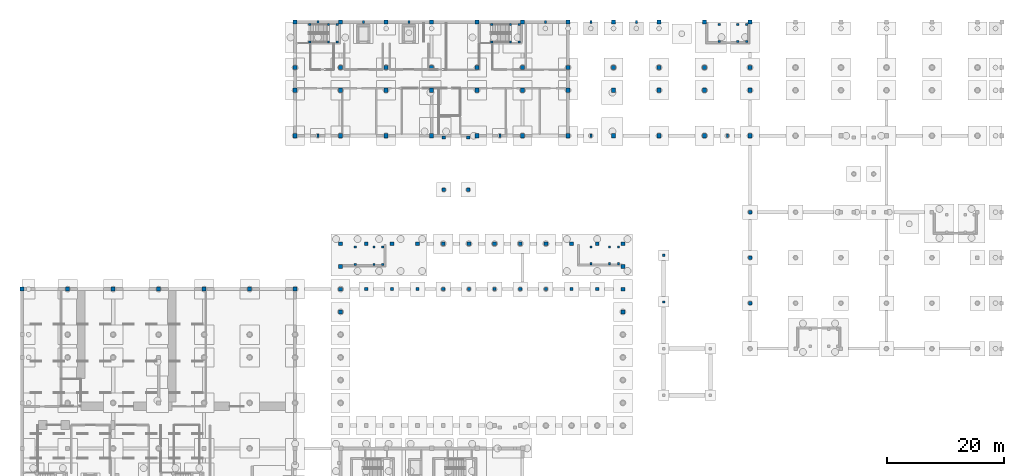
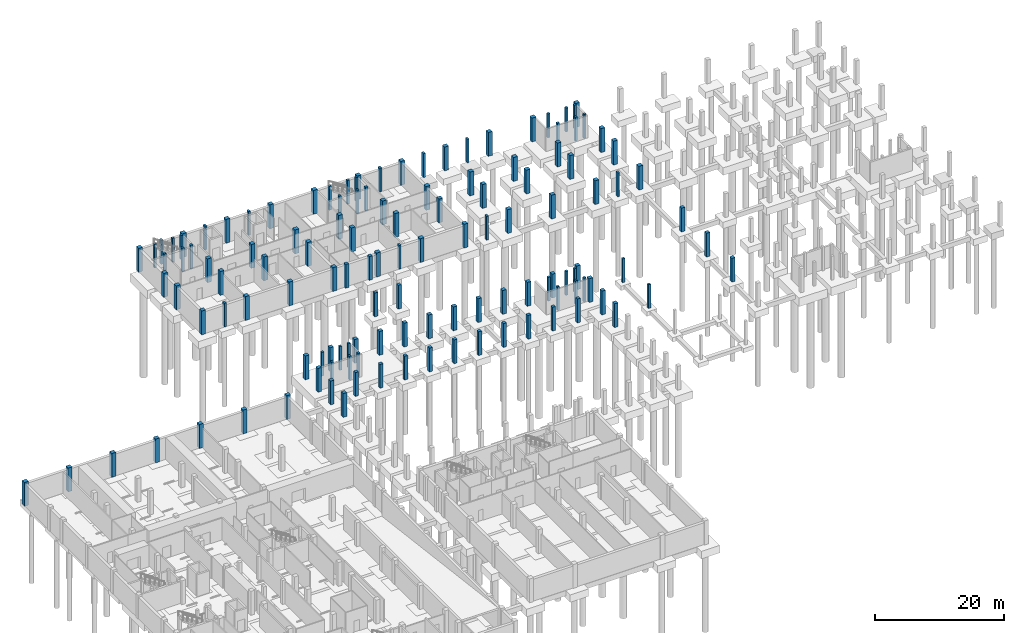
# One storey, part 7 of 24: 128 columns.
"""IFC4 building model written with IfcOpenShell, lengths in metres."""

from ifc_helpers import new_model, si_unit, direction, frame, origin, origin_2d, place, context, subcontext, project, spatial, rectangle, extrude, material, material_profile, profile_set, type_object, element, save


model = new_model("IFC4")

# Units and contexts
model_context = context("Model", 3, precision=1e-05, world=origin(), true_north=direction((0.0, 1.0)))
body_context = subcontext(model_context, "Body", "Model", "MODEL_VIEW")
ifc_project = project(units=[si_unit("LENGTHUNIT", "METRE"), si_unit("AREAUNIT", "SQUARE_METRE"), si_unit("VOLUMEUNIT", "CUBIC_METRE"), si_unit("PLANEANGLEUNIT", "RADIAN"), si_unit("MASSUNIT", "GRAM", prefix="KILO")], contexts=[model_context])

# Site, building, storey
site_placement = place(None, origin())
site = spatial("IfcSite", under=ifc_project, at=site_placement, CompositionType="ELEMENT")
building_placement = place(site_placement, origin())
building = spatial("IfcBuilding", under=site, at=building_placement, Name="Celorna Specialist Clinic", CompositionType="ELEMENT")
storey_placement = place(building_placement, frame((0.0, 0.0, -4.5)))
storey = spatial("IfcBuildingStorey", under=building, at=storey_placement, Name="B01", CompositionType="ELEMENT", Elevation=-4.5)

# Columns
ifc_material_1 = material(Name="Concrete C40/50", Category="concrete")
ifc_material_profile_1 = material_profile(ifc_material_1, rectangle(XDim=0.699951171875, YDim=0.699951171875, at=origin_2d()), Name="RC 700x700")
ifc_profile_set_1 = profile_set([ifc_material_profile_1], Name="Concrete C40/50")
column_type_1 = type_object("IfcColumnType", Name="CT-02", PredefinedType="COLUMN", material=ifc_profile_set_1)
for number, where, z_axis, x_axis, name in (
    (1, (0.0, 70.199951171875, 0.0), (0.0, 0.0, 1.0), (1.0, 0.0, 0.0), "Column CT-02 B01 X01/YN"),
    (2, (7.800048828125, 70.199951171875, 0.0), (0.0, 0.0, 1.0), (1.0, 0.0, 0.0), "Column CT-02 B01 X02/YN"),
    (3, (15.60009765625, 70.199951171875, 0.0), (0.0, 0.0, 1.0), (1.0, 0.0, 0.0), "Column CT-02 B01 X03/YN"),
    (4, (23.39990234375, 70.199951171875, 0.0), (0.0, 0.0, 1.0), (1.0, 0.0, 0.0), "Column CT-02 B01 X04/YN"),
    (5, (31.199951171875, 70.199951171875, 0.0), (0.0, 0.0, 1.0), (1.0, 0.0, 0.0), "Column CT-02 B01 X05/YN"),
    (6, (39.0, 70.199951171875, 0.0), (0.0, 0.0, 1.0), (1.0, 0.0, 0.0), "Column CT-02 B01 X06/YN"),
    (7, (46.800048828125, 70.199951171875, 0.0), (0.0, 0.0, 1.0), (1.0, 0.0, 0.0), "Column CT-02 B01 X07/YN"),
    (8, (46.800048828125, 96.5, 0.0), (0.0, 0.0, 1.0), (1.0, 0.0, 0.0), "Column CT-02 B01 X07/YR"),
    (9, (46.800048828125, 104.300048828125, 0.0), (0.0, 0.0, 1.0), (1.0, 0.0, 0.0), "Column CT-02 B01 X07/YS"),
    (10, (46.800048828125, 108.199951171875, 0.0), (0.0, 0.0, 1.0), (1.0, 0.0, 0.0), "Column CT-02 B01 X07/YT"),
    (11, (46.800048828125, 116.0, 0.0), (0.0, 0.0, 1.0), (1.0, 0.0, 0.0), "Column CT-02 B01 X07/YU"),
    (12, (54.60009765625, 96.5, 0.0), (0.0, 0.0, 1.0), (1.0, 0.0, 0.0), "Column CT-02 B01 X08/YR"),
    (13, (54.60009765625, 104.300048828125, 0.0), (0.0, 0.0, 1.0), (1.0, 0.0, 0.0), "Column CT-02 B01 X08/YS"),
    (14, (54.60009765625, 108.199951171875, 0.0), (0.0, 0.0, 1.0), (1.0, 0.0, 0.0), "Column CT-02 B01 X08/YT"),
    (15, (54.60009765625, 116.0, 0.0), (0.0, 0.0, 1.0), (1.0, 0.0, 0.0), "Column CT-02 B01 X08/YU"),
    (16, (62.39990234375, 96.5, 0.0), (0.0, 0.0, 1.0), (1.0, 0.0, 0.0), "Column CT-02 B01 X09/YR"),
    (17, (62.39990234375, 104.300048828125, 0.0), (0.0, 0.0, 1.0), (1.0, 0.0, 0.0), "Column CT-02 B01 X09/YS"),
    (18, (62.39990234375, 108.199951171875, 0.0), (0.0, 0.0, 1.0), (1.0, 0.0, 0.0), "Column CT-02 B01 X09/YT"),
    (19, (62.39990234375, 116.0, 0.0), (0.0, 0.0, 1.0), (1.0, 0.0, 0.0), "Column CT-02 B01 X09/YU"),
    (20, (70.199951171875, 96.5, 0.0), (0.0, 0.0, 1.0), (1.0, 0.0, 0.0), "Column CT-02 B01 X10/YR"),
    (21, (70.199951171875, 104.300048828125, 0.0), (0.0, 0.0, 1.0), (1.0, 0.0, 0.0), "Column CT-02 B01 X10/YS"),
    (22, (70.199951171875, 108.199951171875, 0.0), (0.0, 0.0, 1.0), (1.0, 0.0, 0.0), "Column CT-02 B01 X10/YT"),
    (23, (70.199951171875, 116.0, 0.0), (0.0, 0.0, 1.0), (1.0, 0.0, 0.0), "Column CT-02 B01 X10/YU"),
    (24, (78.0, 96.5, 0.0), (0.0, 0.0, 1.0), (1.0, 0.0, 0.0), "Column CT-02 B01 X11/YR"),
    (25, (78.0, 104.300048828125, 0.0), (0.0, 0.0, 1.0), (1.0, 0.0, 0.0), "Column CT-02 B01 X11/YS"),
    (26, (78.0, 108.199951171875, 0.0), (0.0, 0.0, 1.0), (1.0, 0.0, 0.0), "Column CT-02 B01 X11/YT"),
    (27, (78.0, 116.0, 0.0), (0.0, 0.0, 1.0), (1.0, 0.0, 0.0), "Column CT-02 B01 X11/YU"),
    (28, (85.800048828125, 96.5, 0.0), (0.0, 0.0, 1.0), (1.0, 0.0, 0.0), "Column CT-02 B01 X12/YR"),
    (29, (85.800048828125, 104.300048828125, 0.0), (0.0, 0.0, 1.0), (1.0, 0.0, 0.0), "Column CT-02 B01 X12/YS"),
    (30, (85.800048828125, 108.199951171875, 0.0), (0.0, 0.0, 1.0), (1.0, 0.0, 0.0), "Column CT-02 B01 X12/YT"),
    (31, (85.800048828125, 116.0, 0.0), (0.0, 0.0, 1.0), (1.0, 0.0, 0.0), "Column CT-02 B01 X12/YU"),
    (32, (93.60009765625, 96.5, 0.0), (0.0, 0.0, 1.0), (1.0, 0.0, 0.0), "Column CT-02 B01 X13/YR"),
    (33, (93.60009765625, 104.300048828125, 0.0), (0.0, 0.0, 1.0), (1.0, 0.0, 0.0), "Column CT-02 B01 X13/YS"),
    (34, (93.60009765625, 108.199951171875, 0.0), (0.0, 0.0, 1.0), (1.0, 0.0, 0.0), "Column CT-02 B01 X13/YT"),
    (35, (93.60009765625, 116.0, 0.0), (0.0, 0.0, 1.0), (1.0, 0.0, 0.0), "Column CT-02 B01 X13/YU"),
    (36, (101.39990234375, 96.5, 0.0), (0.0, 0.0, 1.0), (1.0, 0.0, 0.0), "Column CT-02 B01 X14/YR"),
    (37, (101.39990234375, 104.300048828125, 0.0), (0.0, 0.0, 1.0), (1.0, 0.0, 0.0), "Column CT-02 B01 X14/YS"),
    (38, (101.39990234375, 108.199951171875, 0.0), (0.0, 0.0, 1.0), (1.0, 0.0, 0.0), "Column CT-02 B01 X14/YT"),
    (39, (101.39990234375, 116.0, 0.0), (0.0, 0.0, 1.0), (1.0, 0.0, 0.0), "Column CT-02 B01 X14/YU"),
    (40, (109.199951171875, 96.5, 0.0), (0.0, 0.0, 1.0), (1.0, 0.0, 0.0), "Column CT-02 B01 X15/YR"),
    (41, (109.199951171875, 104.300048828125, 0.0), (0.0, 0.0, 1.0), (1.0, 0.0, 0.0), "Column CT-02 B01 X15/YS"),
    (42, (109.199951171875, 108.199951171875, 0.0), (0.0, 0.0, 1.0), (1.0, 0.0, 0.0), "Column CT-02 B01 X15/YT"),
    (43, (109.199951171875, 116.0, 0.0), (0.0, 0.0, 1.0), (1.0, 0.0, 0.0), "Column CT-02 B01 X15/YU"),
    (44, (117.0, 96.5, 0.0), (0.0, 0.0, 1.0), (1.0, 0.0, 0.0), "Column CT-02 B01 X16/YR"),
    (45, (117.0, 104.300048828125, 0.0), (0.0, 0.0, 1.0), (1.0, 0.0, 0.0), "Column CT-02 B01 X16/YS"),
    (46, (117.0, 108.199951171875, 0.0), (0.0, 0.0, 1.0), (1.0, 0.0, 0.0), "Column CT-02 B01 X16/YT"),
    (47, (117.0, 116.0, 0.0), (0.0, 0.0, 1.0), (1.0, 0.0, 0.0), "Column CT-02 B01 X16/YU"),
    (48, (124.800048828125, 96.5, 0.0), (0.0, 0.0, 1.0), (1.0, 0.0, 0.0), "Column CT-02 B01 X17/YR"),
    (49, (124.800048828125, 104.300048828125, 0.0), (0.0, 0.0, 1.0), (1.0, 0.0, 0.0), "Column CT-02 B01 X17/YS"),
    (50, (124.800048828125, 108.199951171875, 0.0), (0.0, 0.0, 1.0), (1.0, 0.0, 0.0), "Column CT-02 B01 X17/YT"),
    (51, (124.800048828125, 116.0, 0.0), (0.0, 0.0, 1.0), (1.0, 0.0, 0.0), "Column CT-02 B01 X17/YU"),
):
    element("IfcColumn", number, at=place(storey_placement, frame(where, z_axis=z_axis, x_axis=x_axis)), inside=storey, type_object=column_type_1, Name=name, PredefinedType="COLUMN", context=body_context, shape_type="SweptSolid", body=[
        extrude(rectangle(XDim=0.699951171875, YDim=0.699951171875, at=origin_2d()), origin(), (0.0, 0.0, 1.0), 4.5),
    ])
ifc_material_profile_2 = material_profile(ifc_material_1, rectangle(XDim=0.64990234375, YDim=0.64990234375, at=origin_2d()), Name="RC 650x650")
ifc_profile_set_2 = profile_set([ifc_material_profile_2], Name="Concrete C40/50")
column_type_2 = type_object("IfcColumnType", Name="CT-03", PredefinedType="COLUMN", material=ifc_profile_set_2)
for number, where, z_axis, x_axis, name in (
    (52, (54.60009765625, 78.0, 0.0), (0.0, 0.0, 1.0), (1.0, 0.0, 0.0), "Column CT-03 B01 X08/YP"),
    (53, (59.0, 78.0, 0.0), (0.0, 0.0, 1.0), (1.0, 0.0, 0.0), "Column CT-03 B01 X09/YP"),
    (54, (63.39990234375, 78.0, 0.0), (0.0, 0.0, 1.0), (1.0, 0.0, 0.0), "Column CT-03 B01 X09/YP"),
    (55, (67.800048828125, 78.0, 0.0), (0.0, 0.0, 1.0), (1.0, 0.0, 0.0), "Column CT-03 B01 X10/YP"),
    (56, (72.199951171875, 78.0, 0.0), (0.0, 0.0, 1.0), (1.0, 0.0, 0.0), "Column CT-03 B01 X10/YP"),
    (57, (76.60009765625, 78.0, 0.0), (0.0, 0.0, 1.0), (1.0, 0.0, 0.0), "Column CT-03 B01 X11/YP"),
    (58, (81.0, 78.0, 0.0), (0.0, 0.0, 1.0), (1.0, 0.0, 0.0), "Column CT-03 B01 X11/YP"),
    (59, (85.39990234375, 78.0, 0.0), (0.0, 0.0, 1.0), (1.0, 0.0, 0.0), "Column CT-03 B01 X12/YP"),
    (60, (89.800048828125, 78.0, 0.0), (0.0, 0.0, 1.0), (1.0, 0.0, 0.0), "Column CT-03 B01 X13/YP"),
    (61, (94.199951171875, 78.0, 0.0), (0.0, 0.0, 1.0), (1.0, 0.0, 0.0), "Column CT-03 B01 X13/YP"),
    (62, (98.60009765625, 78.0, 0.0), (0.0, 0.0, 1.0), (1.0, 0.0, 0.0), "Column CT-03 B01 X14/YP"),
    (63, (103.0, 78.0, 0.0), (0.0, 0.0, 1.0), (1.0, 0.0, 0.0), "Column CT-03 B01 X14A/YP"),
    (64, (54.60009765625, 66.300048828125, 0.0), (0.0, 0.0, 1.0), (1.0, 0.0, 0.0), "Column CT-03 B01 X08/YM"),
    (65, (103.0, 66.300048828125, 0.0), (0.0, 0.0, 1.0), (1.0, 0.0, 0.0), "Column CT-03 B01 X14A/YM"),
    (66, (54.60009765625, 70.199951171875, 0.0), (0.0, 0.0, 1.0), (1.0, 0.0, 0.0), "Column CT-03 B01 X08/YN"),
    (67, (103.0, 70.199951171875, 0.0), (0.0, 0.0, 1.0), (1.0, 0.0, 0.0), "Column CT-03 B01 X14A/YN"),
    (68, (54.60009765625, 74.10009765625, 0.0), (0.0, 0.0, 1.0), (1.0, 0.0, 0.0), "Column CT-03 B01 X08/YN"),
    (69, (103.0, 74.10009765625, 0.0), (0.0, 0.0, 1.0), (1.0, 0.0, 0.0), "Column CT-03 B01 X14A/YN"),
):
    element("IfcColumn", number, at=place(storey_placement, frame(where, z_axis=z_axis, x_axis=x_axis)), inside=storey, type_object=column_type_2, Name=name, PredefinedType="COLUMN", context=body_context, shape_type="SweptSolid", body=[
        extrude(rectangle(XDim=0.64990234375, YDim=0.64990234375, at=origin_2d()), origin(), (0.0, 0.0, 1.0), 4.5),
    ])
ifc_material_profile_3 = material_profile(ifc_material_1, rectangle(XDim=0.60009765625, YDim=0.60009765625, at=origin_2d()), Name="RC 600x600")
ifc_profile_set_3 = profile_set([ifc_material_profile_3], Name="Concrete C40/50")
column_type_3 = type_object("IfcColumnType", Name="CT-04", PredefinedType="COLUMN", material=ifc_profile_set_3)
for number, where, z_axis, x_axis, name in (
    (70, (124.800048828125, 67.800048828125, 0.0), (0.0, 0.0, 1.0), (1.0, 0.0, 0.0), "Column CT-04 B01 X17/YN"),
    (71, (124.800048828125, 75.60009765625, 0.0), (0.0, 0.0, 1.0), (1.0, 0.0, 0.0), "Column CT-04 B01 X17/YP"),
    (72, (124.800048828125, 83.39990234375, 0.0), (0.0, 0.0, 1.0), (1.0, 0.0, 0.0), "Column CT-04 B01 X17/YQ"),
):
    element("IfcColumn", number, at=place(storey_placement, frame(where, z_axis=z_axis, x_axis=x_axis)), inside=storey, type_object=column_type_3, Name=name, PredefinedType="COLUMN", context=body_context, shape_type="SweptSolid", body=[
        extrude(rectangle(XDim=0.60009765625, YDim=0.60009765625, at=origin_2d()), origin(), (0.0, 0.0, 1.0), 4.5),
    ])
ifc_material_2 = material(Name="Concrete C35/45", Category="concrete")
ifc_material_profile_4 = material_profile(ifc_material_2, rectangle(XDim=0.550048828125, YDim=0.550048828125, at=origin_2d()), Name="RC 550x550")
ifc_profile_set_4 = profile_set([ifc_material_profile_4], Name="Concrete C35/45")
column_type_4 = type_object("IfcColumnType", Name="CT-05", PredefinedType="COLUMN", material=ifc_profile_set_4)
for number, where, z_axis, x_axis, name in (
    (73, (59.0, 70.199951171875, 0.0), (0.0, 0.0, 1.0), (1.0, 0.0, 0.0), "Column CT-05 B01 X09/YN"),
    (74, (63.39990234375, 70.199951171875, 0.0), (0.0, 0.0, 1.0), (1.0, 0.0, 0.0), "Column CT-05 B01 X09/YN"),
    (75, (67.800048828125, 70.199951171875, 0.0), (0.0, 0.0, 1.0), (1.0, 0.0, 0.0), "Column CT-05 B01 X10/YN"),
    (76, (72.199951171875, 70.199951171875, 0.0), (0.0, 0.0, 1.0), (1.0, 0.0, 0.0), "Column CT-05 B01 X10/YN"),
    (77, (76.60009765625, 70.199951171875, 0.0), (0.0, 0.0, 1.0), (1.0, 0.0, 0.0), "Column CT-05 B01 X11/YN"),
    (78, (81.0, 70.199951171875, 0.0), (0.0, 0.0, 1.0), (1.0, 0.0, 0.0), "Column CT-05 B01 X11/YN"),
    (79, (85.39990234375, 70.199951171875, 0.0), (0.0, 0.0, 1.0), (1.0, 0.0, 0.0), "Column CT-05 B01 X12/YN"),
    (80, (89.800048828125, 70.199951171875, 0.0), (0.0, 0.0, 1.0), (1.0, 0.0, 0.0), "Column CT-05 B01 X13/YN"),
    (81, (94.199951171875, 70.199951171875, 0.0), (0.0, 0.0, 1.0), (1.0, 0.0, 0.0), "Column CT-05 B01 X13/YN"),
    (82, (98.60009765625, 70.199951171875, 0.0), (0.0, 0.0, 1.0), (1.0, 0.0, 0.0), "Column CT-05 B01 X14/YN"),
    (83, (72.300048828125, 87.25, 0.0), (0.0, 0.0, 1.0), (1.0, 0.0, 0.0), "Column CT-05 B01 X10/YQ"),
    (84, (76.5, 87.25, 0.0), (0.0, 0.0, 1.0), (1.0, 0.0, 0.0), "Column CT-05 B01 X11/YQ"),
    (85, (72.300048828125, 96.199951171875, 0.0), (0.0, 0.0, 1.0), (1.0, 0.0, 0.0), "Column CT-05 B01 X10/YR"),
    (86, (76.5, 96.199951171875, 0.0), (0.0, 0.0, 1.0), (1.0, 0.0, 0.0), "Column CT-05 B01 X11/YR"),
):
    element("IfcColumn", number, at=place(storey_placement, frame(where, z_axis=z_axis, x_axis=x_axis)), inside=storey, type_object=column_type_4, Name=name, PredefinedType="COLUMN", context=body_context, shape_type="SweptSolid", body=[
        extrude(rectangle(XDim=0.550048828125, YDim=0.550048828125, at=origin_2d()), origin(), (0.0, 0.0, 1.0), 4.5),
    ])
ifc_material_profile_5 = material_profile(ifc_material_2, rectangle(XDim=0.39990234375, YDim=0.39990234375, at=origin_2d()), Name="RC 400x400")
ifc_profile_set_5 = profile_set([ifc_material_profile_5], Name="Concrete C35/45")
column_type_5 = type_object("IfcColumnType", Name="CT-08", PredefinedType="COLUMN", material=ifc_profile_set_5)
for number, where, z_axis, x_axis, name in (
    (87, (49.320068359375, 112.570068359375, 0.0), (0.0, 0.0, 1.0), (1.0, 0.0, 0.0), "Stair ST-01 landing column CT-08 B01 X07/YU"),
    (88, (49.320068359375, 115.570068359375, 0.0), (0.0, 0.0, 1.0), (1.0, 0.0, 0.0), "Stair ST-01 landing column CT-08 B01 X07/YU"),
    (89, (52.52001953125, 112.570068359375, 0.0), (0.0, 0.0, 1.0), (1.0, 0.0, 0.0), "Stair ST-01 landing column CT-08 B01 X08/YU"),
    (90, (52.52001953125, 115.570068359375, 0.0), (0.0, 0.0, 1.0), (1.0, 0.0, 0.0), "Stair ST-01 landing column CT-08 B01 X08/YU"),
    (91, (54.0400390625, 112.570068359375, 0.0), (0.0, 0.0, 1.0), (1.0, 0.0, 0.0), "Stair ST-01 landing column CT-08 B01 X08/YU"),
    (92, (54.0400390625, 115.570068359375, 0.0), (0.0, 0.0, 1.0), (1.0, 0.0, 0.0), "Stair ST-01 landing column CT-08 B01 X08/YU"),
    (93, (80.52001953125, 112.570068359375, 0.0), (0.0, 0.0, 1.0), (1.0, 0.0, 0.0), "Stair ST-02 landing column CT-08 B01 X11/YU"),
    (94, (80.52001953125, 115.570068359375, 0.0), (0.0, 0.0, 1.0), (1.0, 0.0, 0.0), "Stair ST-02 landing column CT-08 B01 X11/YU"),
    (95, (83.719970703125, 112.570068359375, 0.0), (0.0, 0.0, 1.0), (1.0, 0.0, 0.0), "Stair ST-02 landing column CT-08 B01 X12/YU"),
    (96, (83.719970703125, 115.570068359375, 0.0), (0.0, 0.0, 1.0), (1.0, 0.0, 0.0), "Stair ST-02 landing column CT-08 B01 X12/YU"),
    (97, (85.239990234375, 112.570068359375, 0.0), (0.0, 0.0, 1.0), (1.0, 0.0, 0.0), "Stair ST-02 landing column CT-08 B01 X12/YU"),
    (98, (85.239990234375, 115.570068359375, 0.0), (0.0, 0.0, 1.0), (1.0, 0.0, 0.0), "Stair ST-02 landing column CT-08 B01 X12/YU"),
    (99, (119.52001953125, 112.669921875, 0.0), (0.0, 0.0, 1.0), (1.0, 0.0, 0.0), "Stair ST-03 landing column CT-08 B01 X16/YU"),
    (100, (119.52001953125, 115.570068359375, 0.0), (0.0, 0.0, 1.0), (1.0, 0.0, 0.0), "Stair ST-03 landing column CT-08 B01 X16/YU"),
    (101, (122.719970703125, 112.669921875, 0.0), (0.0, 0.0, 1.0), (1.0, 0.0, 0.0), "Stair ST-03 landing column CT-08 B01 X17/YU"),
    (102, (122.719970703125, 115.570068359375, 0.0), (0.0, 0.0, 1.0), (1.0, 0.0, 0.0), "Stair ST-03 landing column CT-08 B01 X17/YU"),
    (103, (124.239990234375, 112.669921875, 0.0), (0.0, 0.0, 1.0), (1.0, 0.0, 0.0), "Stair ST-03 landing column CT-08 B01 X17/YU"),
    (104, (124.239990234375, 115.570068359375, 0.0), (0.0, 0.0, 1.0), (1.0, 0.0, 0.0), "Stair ST-03 landing column CT-08 B01 X17/YU"),
    (105, (57.1201171875, 74.429931640625, 0.0), (0.0, 0.0, 1.0), (1.0, 0.0, 0.0), "Stair ST-10 landing column CT-08 B01 X08/YP"),
    (106, (57.1201171875, 77.429931640625, 0.0), (0.0, 0.0, 1.0), (1.0, 0.0, 0.0), "Stair ST-10 landing column CT-08 B01 X08/YP"),
    (107, (60.320068359375, 74.429931640625, 0.0), (0.0, 0.0, 1.0), (1.0, 0.0, 0.0), "Stair ST-10 landing column CT-08 B01 X09/YP"),
    (108, (60.320068359375, 77.429931640625, 0.0), (0.0, 0.0, 1.0), (1.0, 0.0, 0.0), "Stair ST-10 landing column CT-08 B01 X09/YP"),
    (109, (61.840087890625, 74.429931640625, 0.0), (0.0, 0.0, 1.0), (1.0, 0.0, 0.0), "Stair ST-10 landing column CT-08 B01 X09/YP"),
    (110, (61.840087890625, 77.429931640625, 0.0), (0.0, 0.0, 1.0), (1.0, 0.0, 0.0), "Stair ST-10 landing column CT-08 B01 X09/YP"),
    (111, (97.52001953125, 74.530029296875, 0.0), (0.0, 0.0, 1.0), (1.0, 0.0, 0.0), "Stair ST-11 landing column CT-08 B01 X14/YP"),
    (112, (97.52001953125, 77.429931640625, 0.0), (0.0, 0.0, 1.0), (1.0, 0.0, 0.0), "Stair ST-11 landing column CT-08 B01 X14/YP"),
    (113, (100.719970703125, 74.530029296875, 0.0), (0.0, 0.0, 1.0), (1.0, 0.0, 0.0), "Stair ST-11 landing column CT-08 B01 X14/YP"),
    (114, (100.719970703125, 77.429931640625, 0.0), (0.0, 0.0, 1.0), (1.0, 0.0, 0.0), "Stair ST-11 landing column CT-08 B01 X14/YP"),
    (115, (102.239990234375, 74.530029296875, 0.0), (0.0, 0.0, 1.0), (1.0, 0.0, 0.0), "Stair ST-11 landing column CT-08 B01 X14A/YP"),
    (116, (102.239990234375, 77.429931640625, 0.0), (0.0, 0.0, 1.0), (1.0, 0.0, 0.0), "Stair ST-11 landing column CT-08 B01 X14A/YP"),
    (117, (110.0, 68.0, 0.0), (0.0, 0.0, 1.0), (1.0, 0.0, 0.0), "Garden colonnade plinth pier #3"),
    (118, (110.0, 76.0, 0.0), (0.0, 0.0, 1.0), (1.0, 0.0, 0.0), "Garden colonnade plinth pier #4"),
):
    element("IfcColumn", number, at=place(storey_placement, frame(where, z_axis=z_axis, x_axis=x_axis)), inside=storey, type_object=column_type_5, Name=name, PredefinedType="COLUMN", context=body_context, shape_type="SweptSolid", body=[
        extrude(rectangle(XDim=0.39990234375, YDim=0.39990234375, at=origin_2d()), origin(), (0.0, 0.0, 1.0), 4.5),
    ])
ifc_material_3 = material(Name="Precast concrete C40/50", Category="concrete")
ifc_material_profile_6 = material_profile(ifc_material_3, rectangle(XDim=0.35009765625, YDim=0.550048828125, at=origin_2d()), Name="PILASTER 350x550")
ifc_profile_set_6 = profile_set([ifc_material_profile_6], Name="Precast concrete C40/50")
column_type_6 = type_object("IfcColumnType", Name="CT-16", PredefinedType="PILASTER", material=ifc_profile_set_6)
for number, where, z_axis, x_axis, name in (
    (119, (50.699951171875, 116.0, 0.0), (0.0, 0.0, 1.0), (1.0, 0.0, 0.0), "Facade pilaster CT-16 B01 X08/YU"),
    (120, (58.5, 116.0, 0.0), (0.0, 0.0, 1.0), (1.0, 0.0, 0.0), "Facade pilaster CT-16 B01 X08/YU"),
    (121, (66.300048828125, 116.0, 0.0), (0.0, 0.0, 1.0), (1.0, 0.0, 0.0), "Facade pilaster CT-16 B01 X09/YU"),
    (122, (89.699951171875, 116.0, 0.0), (0.0, 0.0, 1.0), (1.0, 0.0, 0.0), "Facade pilaster CT-16 B01 X13/YU"),
    (123, (97.5, 116.0, 0.0), (0.0, 0.0, 1.0), (1.0, 0.0, 0.0), "Facade pilaster CT-16 B01 X13/YU"),
    (124, (105.300048828125, 116.0, 0.0), (0.0, 0.0, 1.0), (1.0, 0.0, 0.0), "Facade pilaster CT-16 B01 X14A/YU"),
    (125, (50.699951171875, 96.5, 0.0), (0.0, 0.0, 1.0), (1.0, 0.0, 0.0), "Court veranda pilaster CT-16 B01 X08/YR"),
    (126, (81.89990234375, 96.5, 0.0), (0.0, 0.0, 1.0), (1.0, 0.0, 0.0), "Court veranda pilaster CT-16 B01 X12/YR"),
    (127, (97.5, 96.5, 0.0), (0.0, 0.0, 1.0), (1.0, 0.0, 0.0), "Court veranda pilaster CT-16 B01 X13/YR"),
    (128, (120.89990234375, 96.5, 0.0), (0.0, 0.0, 1.0), (1.0, 0.0, 0.0), "Court veranda pilaster CT-16 B01 X17/YR"),
):
    element("IfcColumn", number, at=place(storey_placement, frame(where, z_axis=z_axis, x_axis=x_axis)), inside=storey, type_object=column_type_6, Name=name, PredefinedType="PILASTER", context=body_context, shape_type="SweptSolid", body=[
        extrude(rectangle(XDim=0.35009765625, YDim=0.550048828125, at=origin_2d()), origin(), (0.0, 0.0, 1.0), 4.5),
    ])

save(model, "model.ifc")
